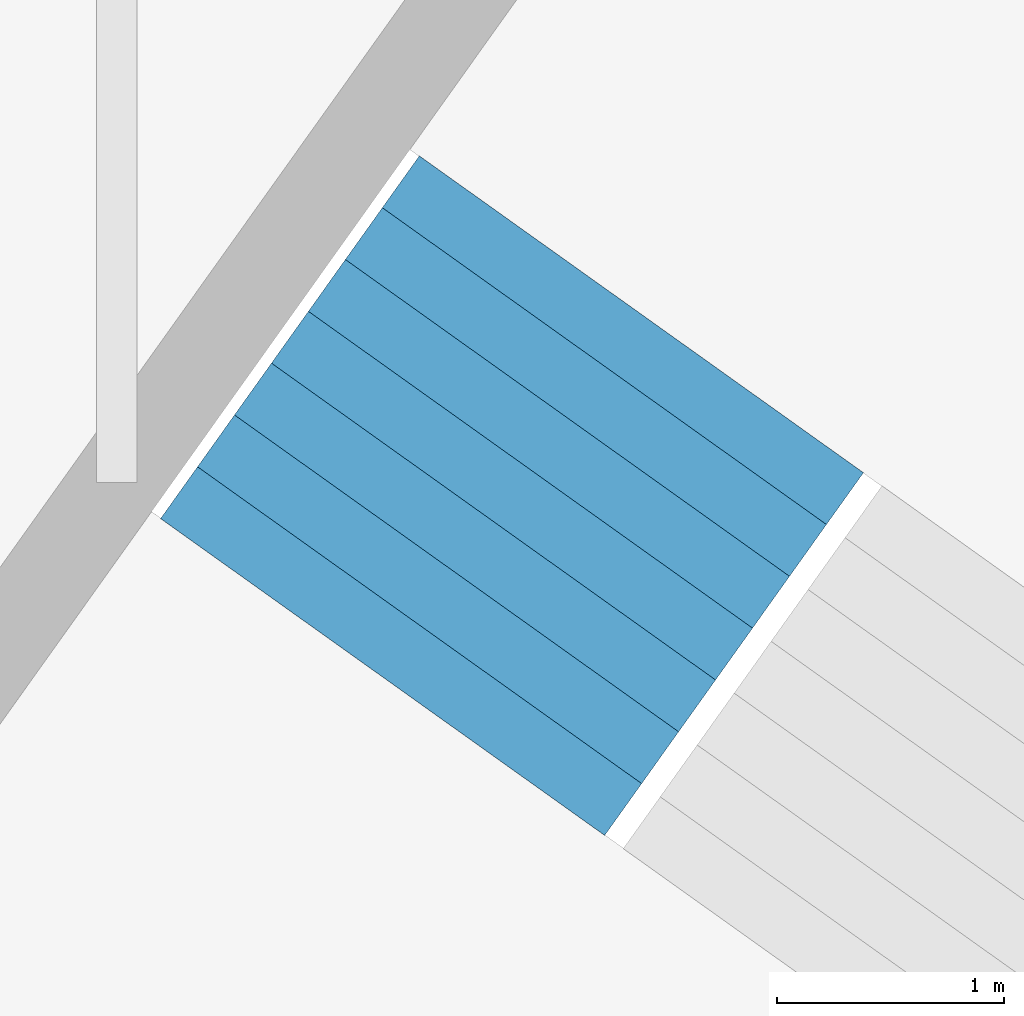
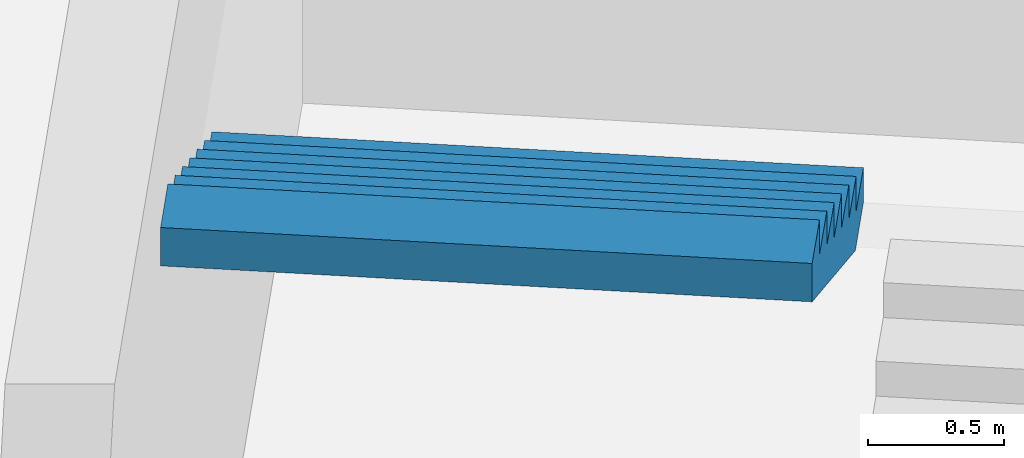
# One storey, part 70 of 73: 1 stair flight, 1 element without a shape of its own.
"""IFC4 building model written with IfcOpenShell, lengths in metres."""

import ifcopenshell
import ifcopenshell.guid

model = None  # the IFC model being written
_history = None  # IfcOwnerHistory: only IFC2X3 demands one
_inside = {}  # id of a spatial element -> (the spatial element, [elements in it])
_under = {}  # id of a project, library or spatial element -> (it, [spatial elements below it])
_declared = {}  # id of a project -> (the project, [libraries it declares])
_typed = {}  # id of a type object -> (the type object, [elements of that type])
_made_of = {}  # id of a material, layer set ... -> (it, [elements and type objects made of it])


def new_model(schema):
    """Start an empty IFC model of exactly this schema.

    Asked for "IFC4X3", IfcOpenShell would pick the latest addendum, in which some entities
    have other attributes; the version numbers below select the first issue.
    IFC2X3 requires an IfcOwnerHistory on every rooted entity: one is made here for all.
    """
    global model, _history
    if schema == "IFC4X3":
        model = ifcopenshell.file(schema_version=(4, 3, 0, 0))
    else:
        model = ifcopenshell.file(schema=schema)
    _inside.clear()
    _under.clear()
    _declared.clear()
    _typed.clear()
    _made_of.clear()
    _history = None
    if model.schema == "IFC2X3":
        org = make("IfcOrganization", Name="unknown")
        user = make(
            "IfcPersonAndOrganization",
            ThePerson=make("IfcPerson", FamilyName="unknown"),
            TheOrganization=org,
        )
        app = make(
            "IfcApplication",
            ApplicationDeveloper=org,
            Version="unknown",
            ApplicationFullName="unknown",
            ApplicationIdentifier="unknown",
        )
        _history = make(
            "IfcOwnerHistory",
            OwningUser=user,
            OwningApplication=app,
            ChangeAction="ADDED",
            CreationDate=0,
        )
    return model


def make(cls, **values):
    """One entity of the class cls with the attributes given. An attribute that is None is left unset."""
    return model.create_entity(
        cls, **{name: value for name, value in values.items() if value is not None}
    )


def rooted(cls, **values):
    """An entity with a GlobalId (a new one), such as an element, a storey or a relation."""
    return make(cls, GlobalId=ifcopenshell.guid.new(), OwnerHistory=_history, **values)


def si_unit(unit_type, name, prefix=None):
    """IfcSIUnit, for example si_unit("LENGTHUNIT", "METRE", prefix="MILLI")."""
    return make("IfcSIUnit", UnitType=unit_type, Prefix=prefix, Name=name)


def assignment(units):
    """IfcUnitAssignment: the units of a project."""
    return None if units is None else make("IfcUnitAssignment", Units=units)


def point(xyz):
    """IfcCartesianPoint."""
    return None if xyz is None else make("IfcCartesianPoint", Coordinates=xyz)


def direction(xyz):
    """IfcDirection."""
    return None if xyz is None else make("IfcDirection", DirectionRatios=xyz)


def frame(location, z_axis=None, x_axis=None):
    """IfcAxis2Placement3D, a coordinate frame: its origin and axes. An axis left out is left unset."""
    return make(
        "IfcAxis2Placement3D",
        Location=point(location),
        Axis=direction(z_axis),
        RefDirection=direction(x_axis),
    )


def origin():
    """The frame at (0, 0, 0) with its axes left unset."""
    return frame((0.0, 0.0, 0.0))


def place(relative_to, where):
    """IfcLocalPlacement: puts the frame where relative to a parent placement (None: the world)."""
    return make(
        "IfcLocalPlacement", PlacementRelTo=relative_to, RelativePlacement=where
    )


def context(
    kind, dimensions, precision=None, world=None, true_north=None, identifier=None
):
    """IfcGeometricRepresentationContext, for example the 3D "Model" context."""
    return make(
        "IfcGeometricRepresentationContext",
        ContextIdentifier=identifier,
        ContextType=kind,
        CoordinateSpaceDimension=dimensions,
        Precision=precision,
        WorldCoordinateSystem=world,
        TrueNorth=true_north,
    )


def subcontext(parent, identifier, kind, view, scale=None):
    """IfcGeometricRepresentationSubContext, for example "Body" below "Model"."""
    return make(
        "IfcGeometricRepresentationSubContext",
        ContextIdentifier=identifier,
        ContextType=kind,
        ParentContext=parent,
        TargetScale=scale,
        TargetView=view,
    )


def project(units=None, contexts=None):
    """IfcProject with its units and contexts."""
    return rooted(
        "IfcProject",
        Name="project",
        RepresentationContexts=contexts,
        UnitsInContext=assignment(units),
    )


def spatial(cls, under=None, at=None, **own):
    """A site, building, storey or space (cls), placed at a placement, below another one or the project."""
    s = rooted(cls, ObjectPlacement=at, **own)
    if under is not None:
        _under.setdefault(under.id(), (under, []))[1].append(s)
    return s


def point_list(points):
    """IfcCartesianPointList2D or 3D."""
    cls = (
        "IfcCartesianPointList2D" if len(points[0]) == 2 else "IfcCartesianPointList3D"
    )
    return make(cls, CoordList=points)


def triangles(points, corners, closed=None, point_numbers=None):
    """IfcTriangulatedFaceSet: each triangle names its three corners, points numbered from 1."""
    return make(
        "IfcTriangulatedFaceSet",
        Coordinates=point_list(points),
        Closed=closed,
        CoordIndex=corners,
        PnIndex=point_numbers,
    )


def shape(context_of_items, identifier, shape_type, items):
    """IfcShapeRepresentation: the items that make up one representation, for example the "Body"."""
    return make(
        "IfcShapeRepresentation",
        ContextOfItems=context_of_items,
        RepresentationIdentifier=identifier,
        RepresentationType=shape_type,
        Items=items,
    )


def material(Name=None, Category=None):
    """IfcMaterial."""
    return make("IfcMaterial", Name=Name, Category=Category)


def made_of(thing, what):
    """Note that an element or type object is made of a material, layer set ...; save() writes the relation."""
    if what is not None:
        _made_of.setdefault(what.id(), (what, []))[1].append(thing)
    return thing


def type_object(cls, material=None, **own):
    """A type object (cls), such as IfcWallType, which elements share."""
    return made_of(rooted(cls, **own), material)


def element(
    cls,
    number,
    at=None,
    inside=None,
    cuts=None,
    type_object=None,
    material=None,
    context=None,
    identifier="Body",
    shape_type=None,
    held_by="IfcProductDefinitionShape",
    body=None,
    shapes=None,
    **own,
):
    """One element of the class cls, such as IfcWall. Its Tag is "e" and its number.

    at: its placement. inside: the storey or other place that contains it. cuts: it is an
    opening in that element (IfcRelVoidsElement). A single representation is given by context,
    identifier, shape_type and body (its items); several are given by shapes. held_by: the class
    of the entity that holds the representations. save() writes the other relations.
    """
    e = rooted(cls, Tag="e%d" % number, ObjectPlacement=at, **own)
    if body is not None:
        shapes = [shape(context, identifier, shape_type, body)]
    if shapes is not None:
        e.Representation = make(held_by, Representations=shapes)
    if inside is not None:
        _inside.setdefault(inside.id(), (inside, []))[1].append(e)
    if cuts is not None:
        rooted(
            "IfcRelVoidsElement", RelatingBuildingElement=cuts, RelatedOpeningElement=e
        )
    if type_object is not None:
        _typed.setdefault(type_object.id(), (type_object, []))[1].append(e)
    return made_of(e, material)


def aggregate(whole, parts):
    """IfcRelAggregates: a whole, such as a stair, and the parts it consists of."""
    return rooted("IfcRelAggregates", RelatingObject=whole, RelatedObjects=parts)


def save(model, path):
    """Write the relations noted so far, then the file.

    IfcRelAggregates (storeys below a building ...), IfcRelContainedInSpatialStructure (elements
    in a storey), IfcRelDefinesByType, IfcRelAssociatesMaterial and IfcRelDeclares: one each for
    every whole, place, type object, material and project.
    """
    for whole, parts in _under.values():
        aggregate(whole, parts)
    for where, things in _inside.values():
        rooted(
            "IfcRelContainedInSpatialStructure",
            RelatedElements=things,
            RelatingStructure=where,
        )
    for kind, things in _typed.values():
        rooted("IfcRelDefinesByType", RelatedObjects=things, RelatingType=kind)
    for what, things in _made_of.values():
        rooted("IfcRelAssociatesMaterial", RelatedObjects=things, RelatingMaterial=what)
    for by, libraries in _declared.values():
        rooted("IfcRelDeclares", RelatingContext=by, RelatedDefinitions=libraries)
    model.write(path)


model = new_model("IFC4")

# Units and contexts
model_context = context("Model", 3, precision=1e-05, world=origin(), true_north=direction((0.0, 1.0)))
body_context = subcontext(model_context, "Body", "Model", "MODEL_VIEW")
ifc_project = project(units=[si_unit("LENGTHUNIT", "METRE"), si_unit("AREAUNIT", "SQUARE_METRE"), si_unit("VOLUMEUNIT", "CUBIC_METRE"), si_unit("PLANEANGLEUNIT", "RADIAN"), si_unit("MASSUNIT", "GRAM", prefix="KILO")], contexts=[model_context])

# Site, building, storey
site_placement = place(None, origin())
site = spatial("IfcSite", under=ifc_project, at=site_placement, CompositionType="ELEMENT")
building_placement = place(site_placement, origin())
building = spatial("IfcBuilding", under=site, at=building_placement, Name="Lantaw Convention Tower", CompositionType="ELEMENT")
storey_placement = place(building_placement, frame((0.0, 0.0, 22.0)))
storey = spatial("IfcBuildingStorey", under=building, at=storey_placement, Name="L03", CompositionType="ELEMENT", Elevation=22.0)

# Stair, stair flight
ifc_material = material(Name="Concrete C35/45", Category="concrete")
stair_type = type_object("IfcStairType", Name="Exit stair 2400 riser 156.25 in 4 flights", PredefinedType="HALF_TURN_STAIR", material=ifc_material)
stair_placement = place(storey_placement, origin())
stair = element("IfcStair", 1, at=stair_placement, inside=storey, type_object=stair_type, Name="Podium exit stair P4 L03", PredefinedType="HALF_TURN_STAIR")
stair_flight_type = type_object("IfcStairFlightType", Name="Stair flight 2400 riser 156.25", PredefinedType="STRAIGHT", material=ifc_material)
stair_flight_placement = place(storey_placement, frame((18.1083984375, 27.53955078125, 3.75), z_axis=(0.0, 0.0, 1.0), x_axis=(-0.580702955711, -0.814115518356, 0.0)))
stair_flight = element("IfcStairFlight", 2, at=stair_flight_placement, type_object=stair_flight_type, Name="P4 flight 4", NumberOfRisers=8, NumberOfTreads=7, PredefinedType="STRAIGHT", RiserHeight=0.15625, TreadLength=0.28, context=body_context, shape_type="Tessellation", body=[
    triangles([(0.0, 1.199951171875, 0.0), (0.0, 1.199951171875, 0.15625), (0.28, 1.199951171875, 0.0), (0.28, 1.199951171875, 0.15625), (0.28, 1.199951171875, 0.3125), (0.3076200632058044, 1.199951171875, 0.0), (0.3076200632058044, 1.199951171875, 0.3125), (0.56, 1.199951171875, 0.14083701830033238), (0.56, 1.199951171875, 0.3125), (0.56, 1.199951171875, 0.46875), (0.8400000000000001, 1.199951171875, 0.29708701830033235), (0.8400000000000001, 1.199951171875, 0.46875), (0.8400000000000001, 1.199951171875, 0.625), (1.12, 1.199951171875, 0.45333701830033235), (1.12, 1.199951171875, 0.625), (1.12, 1.199951171875, 0.78125), (1.4000000000000001, 1.199951171875, 0.6095870183003324), (1.4000000000000001, 1.199951171875, 0.78125), (1.4000000000000001, 1.199951171875, 0.9375), (1.6800000000000002, 1.199951171875, 0.7658370183003324), (1.6800000000000002, 1.199951171875, 0.9375), (1.6800000000000002, 1.199951171875, 1.09375), (1.9600000000000002, 1.199951171875, 0.9220870183003324), (1.9600000000000002, 1.199951171875, 1.09375), (0.0, -1.199951171875, 0.0), (0.0, -1.199951171875, 0.15625), (0.28, -1.199951171875, 0.0), (0.28, -1.199951171875, 0.15625), (0.28, -1.199951171875, 0.3125), (0.3076200632058044, -1.199951171875, 0.0), (0.3076200632058044, -1.199951171875, 0.3125), (0.56, -1.199951171875, 0.14083701830033238), (0.56, -1.199951171875, 0.3125), (0.56, -1.199951171875, 0.46875), (0.8400000000000001, -1.199951171875, 0.29708701830033235), (0.8400000000000001, -1.199951171875, 0.46875), (0.8400000000000001, -1.199951171875, 0.625), (1.12, -1.199951171875, 0.45333701830033235), (1.12, -1.199951171875, 0.625), (1.12, -1.199951171875, 0.78125), (1.4000000000000001, -1.199951171875, 0.6095870183003324), (1.4000000000000001, -1.199951171875, 0.78125), (1.4000000000000001, -1.199951171875, 0.9375), (1.6800000000000002, -1.199951171875, 0.7658370183003324), (1.6800000000000002, -1.199951171875, 0.9375), (1.6800000000000002, -1.199951171875, 1.09375), (1.9600000000000002, -1.199951171875, 0.9220870183003324), (1.9600000000000002, -1.199951171875, 1.09375), (0.0, 0.239990234375, 0.15625), (0.0, 0.239990234375, 0.0), (0.0, 0.1919921875, 0.15625), (0.0, 0.1919921875, 0.0), (0.0, 0.143994140625, 0.15625), (0.0, 0.143994140625, 0.0), (0.0, 0.09599609375, 0.15625), (0.0, 0.09599609375, 0.0), (0.0, 0.047998046875, 0.15625), (0.0, 0.047998046875, 0.0), (0.0, 0.0, 0.15625), (0.0, 0.0, 0.0), (0.0, -0.047998046875, 0.15625), (0.0, -0.047998046875, 0.0), (0.0, -0.09599609375, 0.15625), (0.0, -0.09599609375, 0.0), (0.0, -0.143994140625, 0.15625), (0.0, -0.143994140625, 0.0), (0.0, -0.1919921875, 0.15625), (0.0, -0.1919921875, 0.0), (0.0, -0.239990234375, 0.15625), (0.0, -0.239990234375, 0.0), (0.28, 0.239990234375, 0.3125), (0.28, 0.239990234375, 0.15625), (0.28, 0.1919921875, 0.3125), (0.28, 0.1919921875, 0.15625), (0.28, 0.143994140625, 0.3125), (0.28, 0.143994140625, 0.15625), (0.28, 0.09599609375, 0.3125), (0.28, 0.09599609375, 0.15625), (0.28, 0.047998046875, 0.3125), (0.28, 0.047998046875, 0.15625), (0.28, 0.0, 0.3125), (0.28, 0.0, 0.15625), (0.28, -0.047998046875, 0.3125), (0.28, -0.047998046875, 0.15625), (0.28, -0.09599609375, 0.3125), (0.28, -0.09599609375, 0.15625), (0.28, -0.143994140625, 0.3125), (0.28, -0.143994140625, 0.15625), (0.28, -0.1919921875, 0.3125), (0.28, -0.1919921875, 0.15625), (0.28, -0.239990234375, 0.3125), (0.28, -0.239990234375, 0.15625), (0.56, 0.239990234375, 0.46875), (0.56, 0.239990234375, 0.3125), (0.56, 0.1919921875, 0.46875), (0.56, 0.1919921875, 0.3125), (0.56, 0.143994140625, 0.46875), (0.56, 0.143994140625, 0.3125), (0.56, 0.09599609375, 0.46875), (0.56, 0.09599609375, 0.3125), (0.56, 0.047998046875, 0.46875), (0.56, 0.047998046875, 0.3125), (0.56, 0.0, 0.46875), (0.56, 0.0, 0.3125), (0.56, -0.047998046875, 0.46875), (0.56, -0.047998046875, 0.3125), (0.56, -0.09599609375, 0.46875), (0.56, -0.09599609375, 0.3125), (0.56, -0.143994140625, 0.46875), (0.56, -0.143994140625, 0.3125), (0.56, -0.1919921875, 0.46875), (0.56, -0.1919921875, 0.3125), (0.56, -0.239990234375, 0.46875), (0.56, -0.239990234375, 0.3125), (0.8400000000000001, 0.239990234375, 0.625), (0.8400000000000001, 0.239990234375, 0.46875), (0.8400000000000001, 0.1919921875, 0.625), (0.8400000000000001, 0.1919921875, 0.46875), (0.8400000000000001, 0.143994140625, 0.625), (0.8400000000000001, 0.143994140625, 0.46875), (0.8400000000000001, 0.09599609375, 0.625), (0.8400000000000001, 0.09599609375, 0.46875), (0.8400000000000001, 0.047998046875, 0.625), (0.8400000000000001, 0.047998046875, 0.46875), (0.8400000000000001, 0.0, 0.625), (0.8400000000000001, 0.0, 0.46875), (0.8400000000000001, -0.047998046875, 0.625), (0.8400000000000001, -0.047998046875, 0.46875), (0.8400000000000001, -0.09599609375, 0.625), (0.8400000000000001, -0.09599609375, 0.46875), (0.8400000000000001, -0.143994140625, 0.625), (0.8400000000000001, -0.143994140625, 0.46875), (0.8400000000000001, -0.1919921875, 0.625), (0.8400000000000001, -0.1919921875, 0.46875), (0.8400000000000001, -0.239990234375, 0.625), (0.8400000000000001, -0.239990234375, 0.46875), (1.12, 0.239990234375, 0.78125), (1.12, 0.239990234375, 0.625), (1.12, 0.1919921875, 0.78125), (1.12, 0.1919921875, 0.625), (1.12, 0.143994140625, 0.78125), (1.12, 0.143994140625, 0.625), (1.12, 0.09599609375, 0.78125), (1.12, 0.09599609375, 0.625), (1.12, 0.047998046875, 0.78125), (1.12, 0.047998046875, 0.625), (1.12, 0.0, 0.78125), (1.12, 0.0, 0.625), (1.12, -0.047998046875, 0.78125), (1.12, -0.047998046875, 0.625), (1.12, -0.09599609375, 0.78125), (1.12, -0.09599609375, 0.625), (1.12, -0.143994140625, 0.78125), (1.12, -0.143994140625, 0.625), (1.12, -0.1919921875, 0.78125), (1.12, -0.1919921875, 0.625), (1.12, -0.239990234375, 0.78125), (1.12, -0.239990234375, 0.625), (1.4000000000000001, 0.239990234375, 0.9375), (1.4000000000000001, 0.239990234375, 0.78125), (1.4000000000000001, 0.1919921875, 0.9375), (1.4000000000000001, 0.1919921875, 0.78125), (1.4000000000000001, 0.143994140625, 0.9375), (1.4000000000000001, 0.143994140625, 0.78125), (1.4000000000000001, 0.09599609375, 0.9375), (1.4000000000000001, 0.09599609375, 0.78125), (1.4000000000000001, 0.047998046875, 0.9375), (1.4000000000000001, 0.047998046875, 0.78125), (1.4000000000000001, 0.0, 0.9375), (1.4000000000000001, 0.0, 0.78125), (1.4000000000000001, -0.047998046875, 0.9375), (1.4000000000000001, -0.047998046875, 0.78125), (1.4000000000000001, -0.09599609375, 0.9375), (1.4000000000000001, -0.09599609375, 0.78125), (1.4000000000000001, -0.143994140625, 0.9375), (1.4000000000000001, -0.143994140625, 0.78125), (1.4000000000000001, -0.1919921875, 0.9375), (1.4000000000000001, -0.1919921875, 0.78125), (1.4000000000000001, -0.239990234375, 0.9375), (1.4000000000000001, -0.239990234375, 0.78125), (1.6800000000000002, 0.239990234375, 1.09375), (1.6800000000000002, 0.239990234375, 0.9375), (1.6800000000000002, 0.1919921875, 1.09375), (1.6800000000000002, 0.1919921875, 0.9375), (1.6800000000000002, 0.143994140625, 1.09375), (1.6800000000000002, 0.143994140625, 0.9375), (1.6800000000000002, 0.09599609375, 1.09375), (1.6800000000000002, 0.09599609375, 0.9375), (1.6800000000000002, 0.047998046875, 1.09375), (1.6800000000000002, 0.047998046875, 0.9375), (1.6800000000000002, 0.0, 1.09375), (1.6800000000000002, 0.0, 0.9375), (1.6800000000000002, -0.047998046875, 1.09375), (1.6800000000000002, -0.047998046875, 0.9375), (1.6800000000000002, -0.09599609375, 1.09375), (1.6800000000000002, -0.09599609375, 0.9375), (1.6800000000000002, -0.143994140625, 1.09375), (1.6800000000000002, -0.143994140625, 0.9375), (1.6800000000000002, -0.1919921875, 1.09375), (1.6800000000000002, -0.1919921875, 0.9375), (1.6800000000000002, -0.239990234375, 1.09375), (1.6800000000000002, -0.239990234375, 0.9375), (0.3076200632058044, 0.239990234375, 0.3125), (0.3076200632058044, 0.1919921875, 0.3125), (0.3076200632058044, 0.143994140625, 0.3125), (0.3076200632058044, 0.09599609375, 0.3125), (0.3076200632058044, 0.047998046875, 0.3125), (0.3076200632058044, 0.0, 0.3125), (0.3076200632058044, -0.047998046875, 0.3125), (0.3076200632058044, -0.09599609375, 0.3125), (0.3076200632058044, -0.143994140625, 0.3125), (0.3076200632058044, -0.1919921875, 0.3125), (0.3076200632058044, -0.239990234375, 0.3125), (1.9600000000000002, 0.239990234375, 1.09375), (1.9600000000000002, 0.1919921875, 1.09375), (1.9600000000000002, 0.143994140625, 1.09375), (1.9600000000000002, 0.09599609375, 1.09375), (1.9600000000000002, 0.047998046875, 1.09375), (1.9600000000000002, 0.0, 1.09375), (1.9600000000000002, -0.047998046875, 1.09375), (1.9600000000000002, -0.09599609375, 1.09375), (1.9600000000000002, -0.143994140625, 1.09375), (1.9600000000000002, -0.1919921875, 1.09375), (1.9600000000000002, -0.239990234375, 1.09375), (1.9600000000000002, 0.239990234375, 0.9220870183003324), (1.9600000000000002, 0.1919921875, 0.9220870183003324), (1.9600000000000002, 0.143994140625, 0.9220870183003324), (1.9600000000000002, 0.09599609375, 0.9220870183003324), (1.9600000000000002, 0.047998046875, 0.9220870183003324), (1.9600000000000002, 0.0, 0.9220870183003324), (1.9600000000000002, -0.047998046875, 0.9220870183003324), (1.9600000000000002, -0.09599609375, 0.9220870183003324), (1.9600000000000002, -0.143994140625, 0.9220870183003324), (1.9600000000000002, -0.1919921875, 0.9220870183003324), (1.9600000000000002, -0.239990234375, 0.9220870183003324), (1.6800000000000002, 0.239990234375, 0.7658370183003324), (1.6800000000000002, 0.1919921875, 0.7658370183003324), (1.6800000000000002, 0.143994140625, 0.7658370183003324), (1.6800000000000002, 0.09599609375, 0.7658370183003324), (1.6800000000000002, 0.047998046875, 0.7658370183003324), (1.6800000000000002, 0.0, 0.7658370183003324), (1.6800000000000002, -0.047998046875, 0.7658370183003324), (1.6800000000000002, -0.09599609375, 0.7658370183003324), (1.6800000000000002, -0.143994140625, 0.7658370183003324), (1.6800000000000002, -0.1919921875, 0.7658370183003324), (1.6800000000000002, -0.239990234375, 0.7658370183003324), (1.4000000000000001, 0.239990234375, 0.6095870183003324), (1.4000000000000001, 0.1919921875, 0.6095870183003324), (1.4000000000000001, 0.143994140625, 0.6095870183003324), (1.4000000000000001, 0.09599609375, 0.6095870183003324), (1.4000000000000001, 0.047998046875, 0.6095870183003324), (1.4000000000000001, 0.0, 0.6095870183003324), (1.4000000000000001, -0.047998046875, 0.6095870183003324), (1.4000000000000001, -0.09599609375, 0.6095870183003324), (1.4000000000000001, -0.143994140625, 0.6095870183003324), (1.4000000000000001, -0.1919921875, 0.6095870183003324), (1.4000000000000001, -0.239990234375, 0.6095870183003324), (1.12, 0.239990234375, 0.45333701830033235), (1.12, 0.1919921875, 0.45333701830033235), (1.12, 0.143994140625, 0.45333701830033235), (1.12, 0.09599609375, 0.45333701830033235), (1.12, 0.047998046875, 0.45333701830033235), (1.12, 0.0, 0.45333701830033235), (1.12, -0.047998046875, 0.45333701830033235), (1.12, -0.09599609375, 0.45333701830033235), (1.12, -0.143994140625, 0.45333701830033235), (1.12, -0.1919921875, 0.45333701830033235), (1.12, -0.239990234375, 0.45333701830033235), (0.8400000000000001, 0.239990234375, 0.29708701830033235), (0.8400000000000001, 0.1919921875, 0.29708701830033235), (0.8400000000000001, 0.143994140625, 0.29708701830033235), (0.8400000000000001, 0.09599609375, 0.29708701830033235), (0.8400000000000001, 0.047998046875, 0.29708701830033235), (0.8400000000000001, 0.0, 0.29708701830033235), (0.8400000000000001, -0.047998046875, 0.29708701830033235), (0.8400000000000001, -0.09599609375, 0.29708701830033235), (0.8400000000000001, -0.143994140625, 0.29708701830033235), (0.8400000000000001, -0.1919921875, 0.29708701830033235), (0.8400000000000001, -0.239990234375, 0.29708701830033235), (0.56, 0.239990234375, 0.14083701830033238), (0.56, 0.1919921875, 0.14083701830033238), (0.56, 0.143994140625, 0.14083701830033238), (0.56, 0.09599609375, 0.14083701830033238), (0.56, 0.047998046875, 0.14083701830033238), (0.56, 0.0, 0.14083701830033238), (0.56, -0.047998046875, 0.14083701830033238), (0.56, -0.09599609375, 0.14083701830033238), (0.56, -0.143994140625, 0.14083701830033238), (0.56, -0.1919921875, 0.14083701830033238), (0.56, -0.239990234375, 0.14083701830033238), (0.3076200632058044, 0.239990234375, 0.0), (0.3076200632058044, 0.1919921875, 0.0), (0.3076200632058044, 0.143994140625, 0.0), (0.3076200632058044, 0.09599609375, 0.0), (0.3076200632058044, 0.047998046875, 0.0), (0.3076200632058044, 0.0, 0.0), (0.3076200632058044, -0.047998046875, 0.0), (0.3076200632058044, -0.09599609375, 0.0), (0.3076200632058044, -0.143994140625, 0.0), (0.3076200632058044, -0.1919921875, 0.0), (0.3076200632058044, -0.239990234375, 0.0), (0.28, 0.239990234375, 0.0), (0.28, 0.1919921875, 0.0), (0.28, 0.143994140625, 0.0), (0.28, 0.09599609375, 0.0), (0.28, 0.047998046875, 0.0), (0.28, 0.0, 0.0), (0.28, -0.047998046875, 0.0), (0.28, -0.09599609375, 0.0), (0.28, -0.143994140625, 0.0), (0.28, -0.1919921875, 0.0), (0.28, -0.239990234375, 0.0)], [[1, 4, 3], [1, 2, 4], [3, 4, 6], [4, 7, 6], [4, 5, 7], [6, 9, 8], [6, 7, 9], [8, 9, 11], [9, 12, 11], [9, 10, 12], [11, 12, 14], [12, 15, 14], [12, 13, 15], [14, 15, 17], [15, 18, 17], [15, 16, 18], [17, 18, 20], [18, 21, 20], [18, 19, 21], [20, 21, 23], [21, 24, 23], [21, 22, 24], [25, 27, 28], [25, 28, 26], [27, 30, 28], [28, 30, 31], [28, 31, 29], [30, 32, 33], [30, 33, 31], [32, 35, 33], [33, 35, 36], [33, 36, 34], [35, 38, 36], [36, 38, 39], [36, 39, 37], [38, 41, 39], [39, 41, 42], [39, 42, 40], [41, 44, 42], [42, 44, 45], [42, 45, 43], [44, 47, 45], [45, 47, 48], [45, 48, 46], [1, 49, 2], [1, 50, 49], [50, 51, 49], [50, 52, 51], [52, 53, 51], [52, 54, 53], [54, 55, 53], [54, 56, 55], [56, 57, 55], [56, 58, 57], [58, 59, 57], [58, 60, 59], [60, 61, 59], [60, 62, 61], [62, 63, 61], [62, 64, 63], [64, 65, 63], [64, 66, 65], [66, 67, 65], [66, 68, 67], [68, 69, 67], [68, 70, 69], [70, 26, 69], [70, 25, 26], [4, 71, 5], [4, 72, 71], [72, 73, 71], [72, 74, 73], [74, 75, 73], [74, 76, 75], [76, 77, 75], [76, 78, 77], [78, 79, 77], [78, 80, 79], [80, 81, 79], [80, 82, 81], [82, 83, 81], [82, 84, 83], [84, 85, 83], [84, 86, 85], [86, 87, 85], [86, 88, 87], [88, 89, 87], [88, 90, 89], [90, 91, 89], [90, 92, 91], [92, 29, 91], [92, 28, 29], [9, 93, 10], [9, 94, 93], [94, 95, 93], [94, 96, 95], [96, 97, 95], [96, 98, 97], [98, 99, 97], [98, 100, 99], [100, 101, 99], [100, 102, 101], [102, 103, 101], [102, 104, 103], [104, 105, 103], [104, 106, 105], [106, 107, 105], [106, 108, 107], [108, 109, 107], [108, 110, 109], [110, 111, 109], [110, 112, 111], [112, 113, 111], [112, 114, 113], [114, 34, 113], [114, 33, 34], [12, 115, 13], [12, 116, 115], [116, 117, 115], [116, 118, 117], [118, 119, 117], [118, 120, 119], [120, 121, 119], [120, 122, 121], [122, 123, 121], [122, 124, 123], [124, 125, 123], [124, 126, 125], [126, 127, 125], [126, 128, 127], [128, 129, 127], [128, 130, 129], [130, 131, 129], [130, 132, 131], [132, 133, 131], [132, 134, 133], [134, 135, 133], [134, 136, 135], [136, 37, 135], [136, 36, 37], [15, 137, 16], [15, 138, 137], [138, 139, 137], [138, 140, 139], [140, 141, 139], [140, 142, 141], [142, 143, 141], [142, 144, 143], [144, 145, 143], [144, 146, 145], [146, 147, 145], [146, 148, 147], [148, 149, 147], [148, 150, 149], [150, 151, 149], [150, 152, 151], [152, 153, 151], [152, 154, 153], [154, 155, 153], [154, 156, 155], [156, 157, 155], [156, 158, 157], [158, 40, 157], [158, 39, 40], [18, 159, 19], [18, 160, 159], [160, 161, 159], [160, 162, 161], [162, 163, 161], [162, 164, 163], [164, 165, 163], [164, 166, 165], [166, 167, 165], [166, 168, 167], [168, 169, 167], [168, 170, 169], [170, 171, 169], [170, 172, 171], [172, 173, 171], [172, 174, 173], [174, 175, 173], [174, 176, 175], [176, 177, 175], [176, 178, 177], [178, 179, 177], [178, 180, 179], [180, 43, 179], [180, 42, 43], [21, 181, 22], [21, 182, 181], [182, 183, 181], [182, 184, 183], [184, 185, 183], [184, 186, 185], [186, 187, 185], [186, 188, 187], [188, 189, 187], [188, 190, 189], [190, 191, 189], [190, 192, 191], [192, 193, 191], [192, 194, 193], [194, 195, 193], [194, 196, 195], [196, 197, 195], [196, 198, 197], [198, 199, 197], [198, 200, 199], [200, 201, 199], [200, 202, 201], [202, 46, 201], [202, 45, 46], [2, 72, 4], [2, 49, 72], [49, 74, 72], [49, 51, 74], [51, 76, 74], [51, 53, 76], [53, 78, 76], [53, 55, 78], [55, 80, 78], [55, 57, 80], [57, 82, 80], [57, 59, 82], [59, 84, 82], [59, 61, 84], [61, 86, 84], [61, 63, 86], [63, 88, 86], [63, 65, 88], [65, 90, 88], [65, 67, 90], [67, 92, 90], [67, 69, 92], [69, 28, 92], [69, 26, 28], [5, 203, 7], [5, 71, 203], [71, 204, 203], [71, 73, 204], [73, 205, 204], [73, 75, 205], [75, 206, 205], [75, 77, 206], [77, 207, 206], [77, 79, 207], [79, 208, 207], [79, 81, 208], [81, 209, 208], [81, 83, 209], [83, 210, 209], [83, 85, 210], [85, 211, 210], [85, 87, 211], [87, 212, 211], [87, 89, 212], [89, 213, 212], [89, 91, 213], [91, 31, 213], [91, 29, 31], [7, 94, 9], [7, 203, 94], [203, 96, 94], [203, 204, 96], [204, 98, 96], [204, 205, 98], [205, 100, 98], [205, 206, 100], [206, 102, 100], [206, 207, 102], [207, 104, 102], [207, 208, 104], [208, 106, 104], [208, 209, 106], [209, 108, 106], [209, 210, 108], [210, 110, 108], [210, 211, 110], [211, 112, 110], [211, 212, 112], [212, 114, 112], [212, 213, 114], [213, 33, 114], [213, 31, 33], [10, 116, 12], [10, 93, 116], [93, 118, 116], [93, 95, 118], [95, 120, 118], [95, 97, 120], [97, 122, 120], [97, 99, 122], [99, 124, 122], [99, 101, 124], [101, 126, 124], [101, 103, 126], [103, 128, 126], [103, 105, 128], [105, 130, 128], [105, 107, 130], [107, 132, 130], [107, 109, 132], [109, 134, 132], [109, 111, 134], [111, 136, 134], [111, 113, 136], [113, 36, 136], [113, 34, 36], [13, 138, 15], [13, 115, 138], [115, 140, 138], [115, 117, 140], [117, 142, 140], [117, 119, 142], [119, 144, 142], [119, 121, 144], [121, 146, 144], [121, 123, 146], [123, 148, 146], [123, 125, 148], [125, 150, 148], [125, 127, 150], [127, 152, 150], [127, 129, 152], [129, 154, 152], [129, 131, 154], [131, 156, 154], [131, 133, 156], [133, 158, 156], [133, 135, 158], [135, 39, 158], [135, 37, 39], [16, 160, 18], [16, 137, 160], [137, 162, 160], [137, 139, 162], [139, 164, 162], [139, 141, 164], [141, 166, 164], [141, 143, 166], [143, 168, 166], [143, 145, 168], [145, 170, 168], [145, 147, 170], [147, 172, 170], [147, 149, 172], [149, 174, 172], [149, 151, 174], [151, 176, 174], [151, 153, 176], [153, 178, 176], [153, 155, 178], [155, 180, 178], [155, 157, 180], [157, 42, 180], [157, 40, 42], [19, 182, 21], [19, 159, 182], [159, 184, 182], [159, 161, 184], [161, 186, 184], [161, 163, 186], [163, 188, 186], [163, 165, 188], [165, 190, 188], [165, 167, 190], [167, 192, 190], [167, 169, 192], [169, 194, 192], [169, 171, 194], [171, 196, 194], [171, 173, 196], [173, 198, 196], [173, 175, 198], [175, 200, 198], [175, 177, 200], [177, 202, 200], [177, 179, 202], [179, 45, 202], [179, 43, 45], [22, 214, 24], [22, 181, 214], [181, 215, 214], [181, 183, 215], [183, 216, 215], [183, 185, 216], [185, 217, 216], [185, 187, 217], [187, 218, 217], [187, 189, 218], [189, 219, 218], [189, 191, 219], [191, 220, 219], [191, 193, 220], [193, 221, 220], [193, 195, 221], [195, 222, 221], [195, 197, 222], [197, 223, 222], [197, 199, 223], [199, 224, 223], [199, 201, 224], [201, 48, 224], [201, 46, 48], [24, 225, 23], [24, 214, 225], [214, 226, 225], [214, 215, 226], [215, 227, 226], [215, 216, 227], [216, 228, 227], [216, 217, 228], [217, 229, 228], [217, 218, 229], [218, 230, 229], [218, 219, 230], [219, 231, 230], [219, 220, 231], [220, 232, 231], [220, 221, 232], [221, 233, 232], [221, 222, 233], [222, 234, 233], [222, 223, 234], [223, 235, 234], [223, 224, 235], [224, 47, 235], [224, 48, 47], [23, 236, 20], [23, 225, 236], [225, 237, 236], [225, 226, 237], [226, 238, 237], [226, 227, 238], [227, 239, 238], [227, 228, 239], [228, 240, 239], [228, 229, 240], [229, 241, 240], [229, 230, 241], [230, 242, 241], [230, 231, 242], [231, 243, 242], [231, 232, 243], [232, 244, 243], [232, 233, 244], [233, 245, 244], [233, 234, 245], [234, 246, 245], [234, 235, 246], [235, 44, 246], [235, 47, 44], [20, 247, 17], [20, 236, 247], [236, 248, 247], [236, 237, 248], [237, 249, 248], [237, 238, 249], [238, 250, 249], [238, 239, 250], [239, 251, 250], [239, 240, 251], [240, 252, 251], [240, 241, 252], [241, 253, 252], [241, 242, 253], [242, 254, 253], [242, 243, 254], [243, 255, 254], [243, 244, 255], [244, 256, 255], [244, 245, 256], [245, 257, 256], [245, 246, 257], [246, 41, 257], [246, 44, 41], [17, 258, 14], [17, 247, 258], [247, 259, 258], [247, 248, 259], [248, 260, 259], [248, 249, 260], [249, 261, 260], [249, 250, 261], [250, 262, 261], [250, 251, 262], [251, 263, 262], [251, 252, 263], [252, 264, 263], [252, 253, 264], [253, 265, 264], [253, 254, 265], [254, 266, 265], [254, 255, 266], [255, 267, 266], [255, 256, 267], [256, 268, 267], [256, 257, 268], [257, 38, 268], [257, 41, 38], [14, 269, 11], [14, 258, 269], [258, 270, 269], [258, 259, 270], [259, 271, 270], [259, 260, 271], [260, 272, 271], [260, 261, 272], [261, 273, 272], [261, 262, 273], [262, 274, 273], [262, 263, 274], [263, 275, 274], [263, 264, 275], [264, 276, 275], [264, 265, 276], [265, 277, 276], [265, 266, 277], [266, 278, 277], [266, 267, 278], [267, 279, 278], [267, 268, 279], [268, 35, 279], [268, 38, 35], [11, 280, 8], [11, 269, 280], [269, 281, 280], [269, 270, 281], [270, 282, 281], [270, 271, 282], [271, 283, 282], [271, 272, 283], [272, 284, 283], [272, 273, 284], [273, 285, 284], [273, 274, 285], [274, 286, 285], [274, 275, 286], [275, 287, 286], [275, 276, 287], [276, 288, 287], [276, 277, 288], [277, 289, 288], [277, 278, 289], [278, 290, 289], [278, 279, 290], [279, 32, 290], [279, 35, 32], [8, 291, 6], [8, 280, 291], [280, 292, 291], [280, 281, 292], [281, 293, 292], [281, 282, 293], [282, 294, 293], [282, 283, 294], [283, 295, 294], [283, 284, 295], [284, 296, 295], [284, 285, 296], [285, 297, 296], [285, 286, 297], [286, 298, 297], [286, 287, 298], [287, 299, 298], [287, 288, 299], [288, 300, 299], [288, 289, 300], [289, 301, 300], [289, 290, 301], [290, 30, 301], [290, 32, 30], [6, 302, 3], [6, 291, 302], [291, 303, 302], [291, 292, 303], [292, 304, 303], [292, 293, 304], [293, 305, 304], [293, 294, 305], [294, 306, 305], [294, 295, 306], [295, 307, 306], [295, 296, 307], [296, 308, 307], [296, 297, 308], [297, 309, 308], [297, 298, 309], [298, 310, 309], [298, 299, 310], [299, 311, 310], [299, 300, 311], [300, 312, 311], [300, 301, 312], [301, 27, 312], [301, 30, 27], [3, 50, 1], [3, 302, 50], [302, 52, 50], [302, 303, 52], [303, 54, 52], [303, 304, 54], [304, 56, 54], [304, 305, 56], [305, 58, 56], [305, 306, 58], [306, 60, 58], [306, 307, 60], [307, 62, 60], [307, 308, 62], [308, 64, 62], [308, 309, 64], [309, 66, 64], [309, 310, 66], [310, 68, 66], [310, 311, 68], [311, 70, 68], [311, 312, 70], [312, 25, 70], [312, 27, 25]], closed=True),
])
aggregate(stair, [stair_flight])

save(model, "model.ifc")
